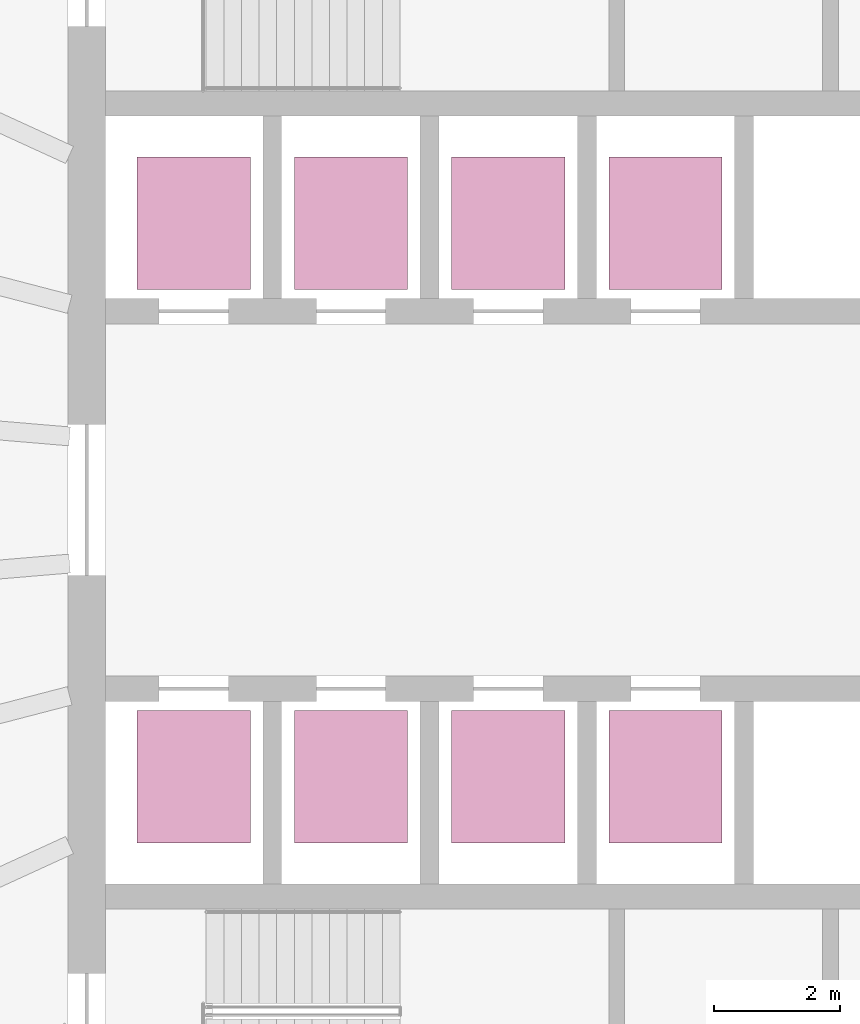
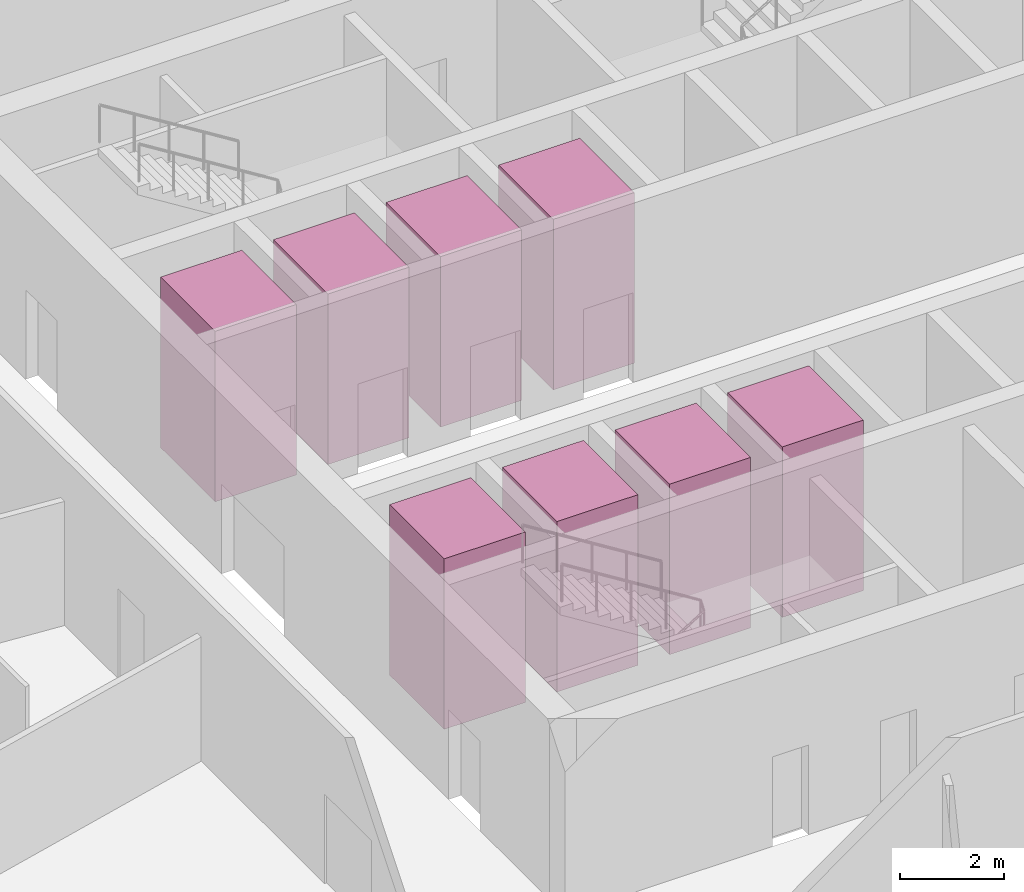
# One storey, part 10 of 10: 8 transport elements.
"""IFC4 building model written with IfcOpenShell, lengths in metres."""

import ifcopenshell
import ifcopenshell.guid

model = None  # the IFC model being written
_history = None  # IfcOwnerHistory: only IFC2X3 demands one
_inside = {}  # id of a spatial element -> (the spatial element, [elements in it])
_under = {}  # id of a project, library or spatial element -> (it, [spatial elements below it])
_declared = {}  # id of a project -> (the project, [libraries it declares])
_typed = {}  # id of a type object -> (the type object, [elements of that type])
_made_of = {}  # id of a material, layer set ... -> (it, [elements and type objects made of it])


def new_model(schema):
    """Start an empty IFC model of exactly this schema.

    Asked for "IFC4X3", IfcOpenShell would pick the latest addendum, in which some entities
    have other attributes; the version numbers below select the first issue.
    IFC2X3 requires an IfcOwnerHistory on every rooted entity: one is made here for all.
    """
    global model, _history
    if schema == "IFC4X3":
        model = ifcopenshell.file(schema_version=(4, 3, 0, 0))
    else:
        model = ifcopenshell.file(schema=schema)
    _inside.clear()
    _under.clear()
    _declared.clear()
    _typed.clear()
    _made_of.clear()
    _history = None
    if model.schema == "IFC2X3":
        org = make("IfcOrganization", Name="unknown")
        user = make(
            "IfcPersonAndOrganization",
            ThePerson=make("IfcPerson", FamilyName="unknown"),
            TheOrganization=org,
        )
        app = make(
            "IfcApplication",
            ApplicationDeveloper=org,
            Version="unknown",
            ApplicationFullName="unknown",
            ApplicationIdentifier="unknown",
        )
        _history = make(
            "IfcOwnerHistory",
            OwningUser=user,
            OwningApplication=app,
            ChangeAction="ADDED",
            CreationDate=0,
        )
    return model


def make(cls, **values):
    """One entity of the class cls with the attributes given. An attribute that is None is left unset."""
    return model.create_entity(
        cls, **{name: value for name, value in values.items() if value is not None}
    )


def rooted(cls, **values):
    """An entity with a GlobalId (a new one), such as an element, a storey or a relation."""
    return make(cls, GlobalId=ifcopenshell.guid.new(), OwnerHistory=_history, **values)


def si_unit(unit_type, name, prefix=None):
    """IfcSIUnit, for example si_unit("LENGTHUNIT", "METRE", prefix="MILLI")."""
    return make("IfcSIUnit", UnitType=unit_type, Prefix=prefix, Name=name)


def assignment(units):
    """IfcUnitAssignment: the units of a project."""
    return None if units is None else make("IfcUnitAssignment", Units=units)


def point(xyz):
    """IfcCartesianPoint."""
    return None if xyz is None else make("IfcCartesianPoint", Coordinates=xyz)


def direction(xyz):
    """IfcDirection."""
    return None if xyz is None else make("IfcDirection", DirectionRatios=xyz)


def frame(location, z_axis=None, x_axis=None):
    """IfcAxis2Placement3D, a coordinate frame: its origin and axes. An axis left out is left unset."""
    return make(
        "IfcAxis2Placement3D",
        Location=point(location),
        Axis=direction(z_axis),
        RefDirection=direction(x_axis),
    )


def frame_2d(location, x_axis=None):
    """IfcAxis2Placement2D, a coordinate frame in the plane: its origin and x axis."""
    return make(
        "IfcAxis2Placement2D", Location=point(location), RefDirection=direction(x_axis)
    )


def origin():
    """The frame at (0, 0, 0) with its axes left unset."""
    return frame((0.0, 0.0, 0.0))


def origin_2d():
    """The frame at (0, 0) in the plane with its x axis left unset."""
    return frame_2d((0.0, 0.0))


def place(relative_to, where):
    """IfcLocalPlacement: puts the frame where relative to a parent placement (None: the world)."""
    return make(
        "IfcLocalPlacement", PlacementRelTo=relative_to, RelativePlacement=where
    )


def context(
    kind, dimensions, precision=None, world=None, true_north=None, identifier=None
):
    """IfcGeometricRepresentationContext, for example the 3D "Model" context."""
    return make(
        "IfcGeometricRepresentationContext",
        ContextIdentifier=identifier,
        ContextType=kind,
        CoordinateSpaceDimension=dimensions,
        Precision=precision,
        WorldCoordinateSystem=world,
        TrueNorth=true_north,
    )


def subcontext(parent, identifier, kind, view, scale=None):
    """IfcGeometricRepresentationSubContext, for example "Body" below "Model"."""
    return make(
        "IfcGeometricRepresentationSubContext",
        ContextIdentifier=identifier,
        ContextType=kind,
        ParentContext=parent,
        TargetScale=scale,
        TargetView=view,
    )


def project(units=None, contexts=None):
    """IfcProject with its units and contexts."""
    return rooted(
        "IfcProject",
        Name="project",
        RepresentationContexts=contexts,
        UnitsInContext=assignment(units),
    )


def spatial(cls, under=None, at=None, **own):
    """A site, building, storey or space (cls), placed at a placement, below another one or the project."""
    s = rooted(cls, ObjectPlacement=at, **own)
    if under is not None:
        _under.setdefault(under.id(), (under, []))[1].append(s)
    return s


def profile(cls, at=None, kind="AREA", **sizes):
    """A parametric profile (cls). Its sizes go by their IFC names, for example OverallWidth=200.0."""
    return make(cls, ProfileType=kind, Position=at, **sizes)


def rectangle(**sizes):
    """IfcRectangleProfileDef."""
    return profile("IfcRectangleProfileDef", **sizes)


def extrude(swept, where, along, depth):
    """IfcExtrudedAreaSolid: the profile swept, set in the frame where, extruded along a direction by depth."""
    return make(
        "IfcExtrudedAreaSolid",
        SweptArea=swept,
        Position=where,
        ExtrudedDirection=direction(along),
        Depth=depth,
    )


def shape(context_of_items, identifier, shape_type, items):
    """IfcShapeRepresentation: the items that make up one representation, for example the "Body"."""
    return make(
        "IfcShapeRepresentation",
        ContextOfItems=context_of_items,
        RepresentationIdentifier=identifier,
        RepresentationType=shape_type,
        Items=items,
    )


def material(Name=None, Category=None):
    """IfcMaterial."""
    return make("IfcMaterial", Name=Name, Category=Category)


def made_of(thing, what):
    """Note that an element or type object is made of a material, layer set ...; save() writes the relation."""
    if what is not None:
        _made_of.setdefault(what.id(), (what, []))[1].append(thing)
    return thing


def type_object(cls, material=None, **own):
    """A type object (cls), such as IfcWallType, which elements share."""
    return made_of(rooted(cls, **own), material)


def element(
    cls,
    number,
    at=None,
    inside=None,
    cuts=None,
    type_object=None,
    material=None,
    context=None,
    identifier="Body",
    shape_type=None,
    held_by="IfcProductDefinitionShape",
    body=None,
    shapes=None,
    **own,
):
    """One element of the class cls, such as IfcWall. Its Tag is "e" and its number.

    at: its placement. inside: the storey or other place that contains it. cuts: it is an
    opening in that element (IfcRelVoidsElement). A single representation is given by context,
    identifier, shape_type and body (its items); several are given by shapes. held_by: the class
    of the entity that holds the representations. save() writes the other relations.
    """
    e = rooted(cls, Tag="e%d" % number, ObjectPlacement=at, **own)
    if body is not None:
        shapes = [shape(context, identifier, shape_type, body)]
    if shapes is not None:
        e.Representation = make(held_by, Representations=shapes)
    if inside is not None:
        _inside.setdefault(inside.id(), (inside, []))[1].append(e)
    if cuts is not None:
        rooted(
            "IfcRelVoidsElement", RelatingBuildingElement=cuts, RelatedOpeningElement=e
        )
    if type_object is not None:
        _typed.setdefault(type_object.id(), (type_object, []))[1].append(e)
    return made_of(e, material)


def aggregate(whole, parts):
    """IfcRelAggregates: a whole, such as a stair, and the parts it consists of."""
    return rooted("IfcRelAggregates", RelatingObject=whole, RelatedObjects=parts)


def save(model, path):
    """Write the relations noted so far, then the file.

    IfcRelAggregates (storeys below a building ...), IfcRelContainedInSpatialStructure (elements
    in a storey), IfcRelDefinesByType, IfcRelAssociatesMaterial and IfcRelDeclares: one each for
    every whole, place, type object, material and project.
    """
    for whole, parts in _under.values():
        aggregate(whole, parts)
    for where, things in _inside.values():
        rooted(
            "IfcRelContainedInSpatialStructure",
            RelatedElements=things,
            RelatingStructure=where,
        )
    for kind, things in _typed.values():
        rooted("IfcRelDefinesByType", RelatedObjects=things, RelatingType=kind)
    for what, things in _made_of.values():
        rooted("IfcRelAssociatesMaterial", RelatedObjects=things, RelatingMaterial=what)
    for by, libraries in _declared.values():
        rooted("IfcRelDeclares", RelatingContext=by, RelatedDefinitions=libraries)
    model.write(path)


model = new_model("IFC4")

# Units and contexts
model_context = context("Model", 3, precision=1e-05, world=origin(), true_north=direction((0.0, 1.0)))
body_context = subcontext(model_context, "Body", "Model", "MODEL_VIEW")
ifc_project = project(units=[si_unit("LENGTHUNIT", "METRE"), si_unit("AREAUNIT", "SQUARE_METRE"), si_unit("VOLUMEUNIT", "CUBIC_METRE"), si_unit("PLANEANGLEUNIT", "RADIAN"), si_unit("MASSUNIT", "GRAM", prefix="KILO")], contexts=[model_context])

# Site, building, storey
site_placement = place(None, origin())
site = spatial("IfcSite", under=ifc_project, at=site_placement, CompositionType="ELEMENT")
building_placement = place(site_placement, origin())
building = spatial("IfcBuilding", under=site, at=building_placement, Name="Halqa Exchange Tower", CompositionType="ELEMENT")
storey_placement = place(building_placement, frame((0.0, 0.0, 159.10009765625)))
storey = spatial("IfcBuildingStorey", under=building, at=storey_placement, Name="L36", CompositionType="ELEMENT", Elevation=159.10009765625)

# Transport elements
ifc_material = material(Name="Stainless steel", Category="steel")
transport_element_type = type_object("IfcTransportElementType", Name="Low-rise passenger lift 1800 x 2100", PredefinedType="ELEVATOR", material=ifc_material)
for number, where, z_axis, x_axis, name in (
    (1, (-10.0, 4.39990234375, 0.0), (0.0, 0.0, 1.0), (1.0, 0.0, 0.0), "Low-rise passenger lift LR1"),
    (2, (-7.5, 4.39990234375, 0.0), (0.0, 0.0, 1.0), (1.0, 0.0, 0.0), "Low-rise passenger lift LR2"),
    (3, (-5.0, 4.39990234375, 0.0), (0.0, 0.0, 1.0), (1.0, 0.0, 0.0), "Low-rise passenger lift LR3"),
    (4, (-2.5, 4.39990234375, 0.0), (0.0, 0.0, 1.0), (1.0, 0.0, 0.0), "Low-rise passenger lift LR4"),
    (5, (-10.0, -4.39990234375, 0.0), (0.0, 0.0, 1.0), (1.0, 0.0, 0.0), "Low-rise passenger lift LR5"),
    (6, (-7.5, -4.39990234375, 0.0), (0.0, 0.0, 1.0), (1.0, 0.0, 0.0), "Low-rise passenger lift LR6"),
    (7, (-5.0, -4.39990234375, 0.0), (0.0, 0.0, 1.0), (1.0, 0.0, 0.0), "Low-rise passenger lift LR7"),
    (8, (-2.5, -4.39990234375, 0.0), (0.0, 0.0, 1.0), (1.0, 0.0, 0.0), "Low-rise passenger lift LR8"),
):
    element("IfcTransportElement", number, at=place(storey_placement, frame(where, z_axis=z_axis, x_axis=x_axis)), inside=storey, type_object=transport_element_type, Name=name, PredefinedType="ELEVATOR", context=body_context, shape_type="SweptSolid", body=[
        extrude(rectangle(XDim=1.800048828125, YDim=2.10009765625, at=origin_2d()), origin(), (0.0, 0.0, 1.0), 4.0),
    ])

save(model, "model.ifc")
